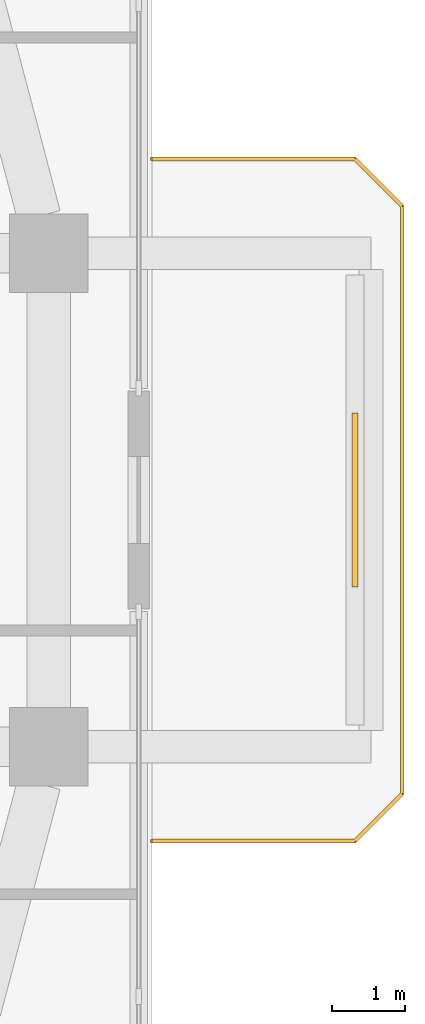
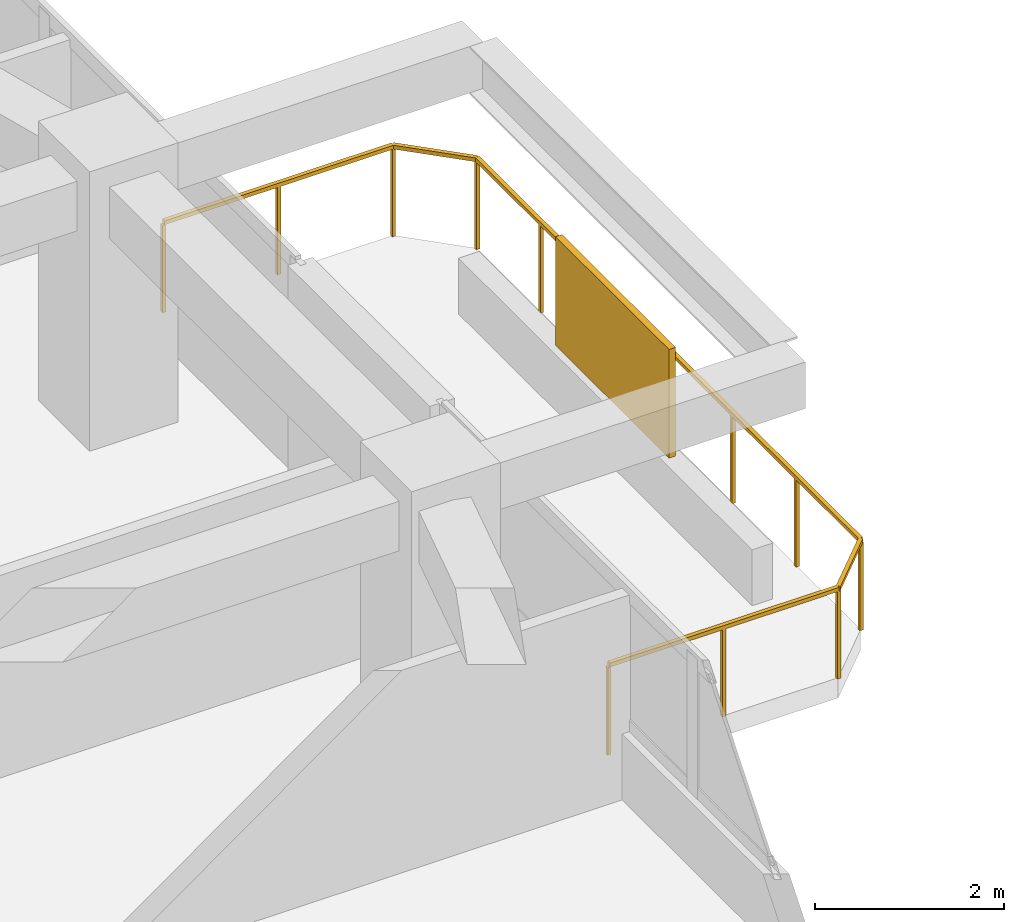
# One storey, part 15 of 15: 1 railing, 1 shading device.
"""IFC4 building model written with IfcOpenShell, lengths in metres."""

from ifc_helpers import new_model, si_unit, derived_unit, direction, frame, origin, origin_2d, place, context, subcontext, project, spatial, rectangle, extrude, material, layer, layer_set, type_object, element, save


model = new_model("IFC4")

# Units and contexts
model_context = context("Model", 3, precision=1e-05, world=origin(), true_north=direction((0.0, 1.0)))
body_context = subcontext(model_context, "Body", "Model", "MODEL_VIEW")
ifc_project = project(units=[si_unit("LENGTHUNIT", "METRE"), si_unit("AREAUNIT", "SQUARE_METRE"), si_unit("VOLUMEUNIT", "CUBIC_METRE"), si_unit("PLANEANGLEUNIT", "RADIAN"), si_unit("MASSUNIT", "GRAM", prefix="KILO"), derived_unit("THERMALTRANSMITTANCEUNIT", [(si_unit("POWERUNIT", "WATT"), 1), (si_unit("LENGTHUNIT", "METRE"), -2), (si_unit("THERMODYNAMICTEMPERATUREUNIT", "KELVIN"), -1)])], contexts=[model_context])

# Site, building, storey
site_placement = place(None, origin())
site = spatial("IfcSite", under=ifc_project, at=site_placement, CompositionType="ELEMENT")
building_placement = place(site_placement, origin())
building = spatial("IfcBuilding", under=site, at=building_placement, Name="Koralith Skygarden Medical Center", CompositionType="ELEMENT")
storey_placement = place(building_placement, frame((0.0, 0.0, 56.340087890625)))
storey = spatial("IfcBuildingStorey", under=building, at=storey_placement, Name="L14", CompositionType="ELEMENT", Elevation=56.340087890625)

# Railing
ifc_material_1 = material(Name="Steel ASTM A500 Grade C", Category="steel")
railing_type = type_object("IfcRailingType", Name="Outdoor Terrace & Balcony Safety Guardrail 1180", PredefinedType="GUARDRAIL", material=ifc_material_1)
railing_placement = place(storey_placement, frame((65.800048828125, 21.199951171875, 0.0)))
element("IfcRailing", 1, at=railing_placement, inside=storey, type_object=railing_type, Name="L14 E Balcony Perimeter Guardrail", PredefinedType="GUARDRAIL", context=body_context, shape_type="SweptSolid", body=[
    extrude(rectangle(XDim=0.050048828125, YDim=0.050048828125, at=origin_2d()), frame((0.001953125, 0.0, 1.15478515625), z_axis=(1.0, 0.0, 0.0), x_axis=(0.0, 1.0, 0.0)), (0.0, 0.0, 1.0), 2.796142578125),
    extrude(rectangle(XDim=0.050048828125, YDim=0.050048828125, at=origin_2d()), frame((2.801513671875, 0.00146484375, 1.15478515625), z_axis=(0.706973978714, 0.707239558722, 0.0), x_axis=(-0.707239558722, 0.706973978714, 0.0)), (0.0, 0.0, 1.0), 0.915283203125),
    extrude(rectangle(XDim=0.050048828125, YDim=0.050048828125, at=origin_2d()), frame((3.449951171875, 0.652099609375, 1.15478515625), z_axis=(0.0, 1.0, 0.0), x_axis=(-1.0, 0.0, 0.0)), (0.0, 0.0, 1.0), 8.095947265625),
    extrude(rectangle(XDim=0.050048828125, YDim=0.050048828125, at=origin_2d()), frame((3.448486328125, 8.75146484375, 1.15478515625), z_axis=(-0.706973978714, 0.707239558722, 0.0), x_axis=(-0.707239558722, -0.706973978714, 0.0)), (0.0, 0.0, 1.0), 0.915283203125),
    extrude(rectangle(XDim=0.050048828125, YDim=0.050048828125, at=origin_2d()), frame((2.798095703125, 9.400146484375, 1.15478515625), z_axis=(-1.0, 0.0, 0.0), x_axis=(0.0, -1.0, 0.0)), (0.0, 0.0, 1.0), 2.796142578125),
    extrude(rectangle(XDim=0.0419921875, YDim=0.0419921875, at=origin_2d()), origin(), (0.0, 0.0, 1.0), 1.1279296875),
    extrude(rectangle(XDim=0.0419921875, YDim=0.0419921875, at=origin_2d()), frame((1.39990234375, 0.0, 0.0)), (0.0, 0.0, 1.0), 1.1279296875),
    extrude(rectangle(XDim=0.0419921875, YDim=0.0419921875, at=origin_2d()), frame((2.800048828125, 0.0, 0.0)), (0.0, 0.0, 1.0), 1.1279296875),
    extrude(rectangle(XDim=0.0419921875, YDim=0.0419921875, at=origin_2d()), frame((3.449951171875, 0.650146484375, 0.0)), (0.0, 0.0, 1.0), 1.1279296875),
    extrude(rectangle(XDim=0.0419921875, YDim=0.0419921875, at=origin_2d()), frame((3.449951171875, 2.0, 0.0)), (0.0, 0.0, 1.0), 1.1279296875),
    extrude(rectangle(XDim=0.0419921875, YDim=0.0419921875, at=origin_2d()), frame((3.449951171875, 3.35009765625, 0.0)), (0.0, 0.0, 1.0), 1.1279296875),
    extrude(rectangle(XDim=0.0419921875, YDim=0.0419921875, at=origin_2d()), frame((3.449951171875, 4.7001953125, 0.0)), (0.0, 0.0, 1.0), 1.1279296875),
    extrude(rectangle(XDim=0.0419921875, YDim=0.0419921875, at=origin_2d()), frame((3.449951171875, 6.050048828125, 0.0)), (0.0, 0.0, 1.0), 1.1279296875),
    extrude(rectangle(XDim=0.0419921875, YDim=0.0419921875, at=origin_2d()), frame((3.449951171875, 7.39990234375, 0.0)), (0.0, 0.0, 1.0), 1.1279296875),
    extrude(rectangle(XDim=0.0419921875, YDim=0.0419921875, at=origin_2d()), frame((3.449951171875, 8.75, 0.0)), (0.0, 0.0, 1.0), 1.1279296875),
    extrude(rectangle(XDim=0.0419921875, YDim=0.0419921875, at=origin_2d()), frame((2.800048828125, 9.400146484375, 0.0)), (0.0, 0.0, 1.0), 1.1279296875),
    extrude(rectangle(XDim=0.0419921875, YDim=0.0419921875, at=origin_2d()), frame((1.39990234375, 9.400146484375, 0.0)), (0.0, 0.0, 1.0), 1.1279296875),
    extrude(rectangle(XDim=0.0419921875, YDim=0.0419921875, at=origin_2d()), frame((0.0, 9.400146484375, 0.0)), (0.0, 0.0, 1.0), 1.1279296875),
])

# Shading device
ifc_material_2 = material(Name="Aluminium 6063-T6", Category="aluminium")
ifc_layer = layer(ifc_material_2, 0.080078125)
ifc_layer_set = layer_set([ifc_layer], Name="Aluminium 6063-T6")
shading_device_type = type_object("IfcShadingDeviceType", Name="Perforated Biophilic Balcony Trellis Screen", PredefinedType="USERDEFINED", material=ifc_layer_set)
shading_device_placement = place(storey_placement, frame((68.60009765625, 25.89990234375, 0.719970703125), z_axis=(0.0, 0.0, 1.0), x_axis=(0.0, 1.0, 0.0)))
element("IfcShadingDevice", 2, at=shading_device_placement, inside=storey, type_object=shading_device_type, Name="L14 E Biophilic Balcony Trellis Screen", ObjectType="HURRICANE SCREEN", PredefinedType="USERDEFINED", context=body_context, shape_type="SweptSolid", body=[
    extrude(rectangle(XDim=2.39990234375, YDim=0.080078125, at=origin_2d()), origin(), (0.0, 0.0, 1.0), 1.39990234375),
])

save(model, "model.ifc")
